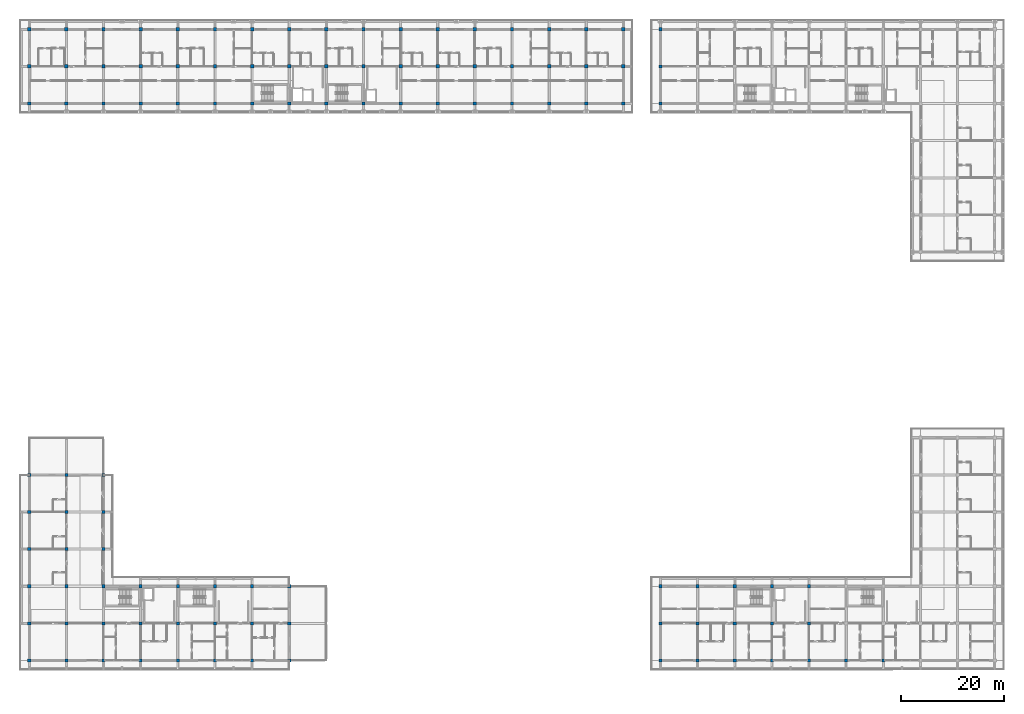
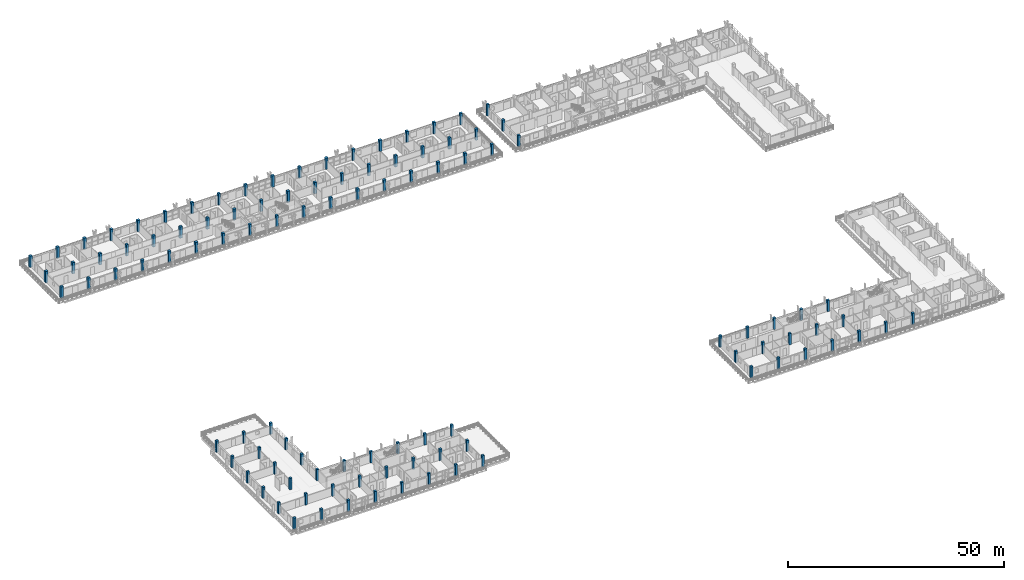
# One storey, part 1 of 78: 104 columns.
"""IFC4 building model written with IfcOpenShell, lengths in metres."""

from ifc_helpers import new_model, si_unit, direction, frame, origin, origin_2d, place, context, subcontext, project, spatial, rectangle, extrude, material, material_profile, profile_set, type_object, element, save


model = new_model("IFC4")

# Units and contexts
model_context = context("Model", 3, precision=1e-05, world=origin(), true_north=direction((0.0, 1.0)))
body_context = subcontext(model_context, "Body", "Model", "MODEL_VIEW")
ifc_project = project(units=[si_unit("LENGTHUNIT", "METRE"), si_unit("AREAUNIT", "SQUARE_METRE"), si_unit("VOLUMEUNIT", "CUBIC_METRE"), si_unit("PLANEANGLEUNIT", "RADIAN"), si_unit("MASSUNIT", "GRAM", prefix="KILO")], contexts=[model_context])

# Site, building, storey
site_placement = place(None, origin())
site = spatial("IfcSite", under=ifc_project, at=site_placement, CompositionType="ELEMENT")
building_placement = place(site_placement, origin())
building = spatial("IfcBuilding", under=site, at=building_placement, Name="Suanplinth Sawtooth Commons", CompositionType="ELEMENT")
storey_placement = place(building_placement, frame((0.0, 0.0, 15.39990234375)))
storey = spatial("IfcBuildingStorey", under=building, at=storey_placement, Name="L04", CompositionType="ELEMENT", Elevation=15.39990234375)

# Columns
ifc_material = material(Name="Precast concrete C40/50", Category="concrete")
ifc_material_profile_1 = material_profile(ifc_material, rectangle(XDim=0.64990234375, YDim=0.64990234375, at=origin_2d()), Name="PC-COL 650x650")
ifc_profile_set_1 = profile_set([ifc_material_profile_1], Name="Precast concrete C40/50")
column_type_1 = type_object("IfcColumnType", Name="C-03", PredefinedType="COLUMN", material=ifc_profile_set_1)
for number, where, z_axis, x_axis, name in (
    (1, (0.0, 108.0, 0.0), (0.0, 0.0, 1.0), (1.0, 0.0, 0.0), "Column L04 1/R"),
    (2, (0.0, 115.199951171875, 0.0), (0.0, 0.0, 1.0), (1.0, 0.0, 0.0), "Column L04 1/S"),
    (3, (0.0, 122.39990234375, 0.0), (0.0, 0.0, 1.0), (1.0, 0.0, 0.0), "Column L04 1/T"),
    (4, (7.199951171875, 108.0, 0.0), (0.0, 0.0, 1.0), (1.0, 0.0, 0.0), "Column L04 2/R"),
    (5, (7.199951171875, 115.199951171875, 0.0), (0.0, 0.0, 1.0), (1.0, 0.0, 0.0), "Column L04 2/S"),
    (6, (7.199951171875, 122.39990234375, 0.0), (0.0, 0.0, 1.0), (1.0, 0.0, 0.0), "Column L04 2/T"),
    (7, (14.39990234375, 108.0, 0.0), (0.0, 0.0, 1.0), (1.0, 0.0, 0.0), "Column L04 3/R"),
    (8, (14.39990234375, 115.199951171875, 0.0), (0.0, 0.0, 1.0), (1.0, 0.0, 0.0), "Column L04 3/S"),
    (9, (14.39990234375, 122.39990234375, 0.0), (0.0, 0.0, 1.0), (1.0, 0.0, 0.0), "Column L04 3/T"),
    (10, (21.60009765625, 108.0, 0.0), (0.0, 0.0, 1.0), (1.0, 0.0, 0.0), "Column L04 4/R"),
    (11, (21.60009765625, 115.199951171875, 0.0), (0.0, 0.0, 1.0), (1.0, 0.0, 0.0), "Column L04 4/S"),
    (12, (21.60009765625, 122.39990234375, 0.0), (0.0, 0.0, 1.0), (1.0, 0.0, 0.0), "Column L04 4/T"),
    (13, (28.800048828125, 108.0, 0.0), (0.0, 0.0, 1.0), (1.0, 0.0, 0.0), "Column L04 5/R"),
    (14, (28.800048828125, 115.199951171875, 0.0), (0.0, 0.0, 1.0), (1.0, 0.0, 0.0), "Column L04 5/S"),
    (15, (28.800048828125, 122.39990234375, 0.0), (0.0, 0.0, 1.0), (1.0, 0.0, 0.0), "Column L04 5/T"),
    (16, (36.0, 108.0, 0.0), (0.0, 0.0, 1.0), (1.0, 0.0, 0.0), "Column L04 6/R"),
    (17, (36.0, 115.199951171875, 0.0), (0.0, 0.0, 1.0), (1.0, 0.0, 0.0), "Column L04 6/S"),
    (18, (36.0, 122.39990234375, 0.0), (0.0, 0.0, 1.0), (1.0, 0.0, 0.0), "Column L04 6/T"),
    (19, (43.199951171875, 108.0, 0.0), (0.0, 0.0, 1.0), (1.0, 0.0, 0.0), "Column L04 7/R"),
    (20, (43.199951171875, 115.199951171875, 0.0), (0.0, 0.0, 1.0), (1.0, 0.0, 0.0), "Column L04 7/S"),
    (21, (43.199951171875, 122.39990234375, 0.0), (0.0, 0.0, 1.0), (1.0, 0.0, 0.0), "Column L04 7/T"),
    (22, (50.39990234375, 108.0, 0.0), (0.0, 0.0, 1.0), (1.0, 0.0, 0.0), "Column L04 8/R"),
    (23, (50.39990234375, 115.199951171875, 0.0), (0.0, 0.0, 1.0), (1.0, 0.0, 0.0), "Column L04 8/S"),
    (24, (50.39990234375, 122.39990234375, 0.0), (0.0, 0.0, 1.0), (1.0, 0.0, 0.0), "Column L04 8/T"),
    (25, (57.60009765625, 108.0, 0.0), (0.0, 0.0, 1.0), (1.0, 0.0, 0.0), "Column L04 9/R"),
    (26, (57.60009765625, 115.199951171875, 0.0), (0.0, 0.0, 1.0), (1.0, 0.0, 0.0), "Column L04 9/S"),
    (27, (57.60009765625, 122.39990234375, 0.0), (0.0, 0.0, 1.0), (1.0, 0.0, 0.0), "Column L04 9/T"),
    (28, (64.800048828125, 108.0, 0.0), (0.0, 0.0, 1.0), (1.0, 0.0, 0.0), "Column L04 10/R"),
    (29, (64.800048828125, 115.199951171875, 0.0), (0.0, 0.0, 1.0), (1.0, 0.0, 0.0), "Column L04 10/S"),
    (30, (64.800048828125, 122.39990234375, 0.0), (0.0, 0.0, 1.0), (1.0, 0.0, 0.0), "Column L04 10/T"),
    (31, (72.0, 108.0, 0.0), (0.0, 0.0, 1.0), (1.0, 0.0, 0.0), "Column L04 11/R"),
    (32, (72.0, 115.199951171875, 0.0), (0.0, 0.0, 1.0), (1.0, 0.0, 0.0), "Column L04 11/S"),
    (33, (72.0, 122.39990234375, 0.0), (0.0, 0.0, 1.0), (1.0, 0.0, 0.0), "Column L04 11/T"),
    (34, (79.199951171875, 108.0, 0.0), (0.0, 0.0, 1.0), (1.0, 0.0, 0.0), "Column L04 12/R"),
    (35, (79.199951171875, 115.199951171875, 0.0), (0.0, 0.0, 1.0), (1.0, 0.0, 0.0), "Column L04 12/S"),
    (36, (79.199951171875, 122.39990234375, 0.0), (0.0, 0.0, 1.0), (1.0, 0.0, 0.0), "Column L04 12/T"),
    (37, (86.39990234375, 108.0, 0.0), (0.0, 0.0, 1.0), (1.0, 0.0, 0.0), "Column L04 13/R"),
    (38, (86.39990234375, 115.199951171875, 0.0), (0.0, 0.0, 1.0), (1.0, 0.0, 0.0), "Column L04 13/S"),
    (39, (86.39990234375, 122.39990234375, 0.0), (0.0, 0.0, 1.0), (1.0, 0.0, 0.0), "Column L04 13/T"),
    (40, (93.60009765625, 108.0, 0.0), (0.0, 0.0, 1.0), (1.0, 0.0, 0.0), "Column L04 14/R"),
    (41, (93.60009765625, 115.199951171875, 0.0), (0.0, 0.0, 1.0), (1.0, 0.0, 0.0), "Column L04 14/S"),
    (42, (93.60009765625, 122.39990234375, 0.0), (0.0, 0.0, 1.0), (1.0, 0.0, 0.0), "Column L04 14/T"),
    (43, (100.800048828125, 108.0, 0.0), (0.0, 0.0, 1.0), (1.0, 0.0, 0.0), "Column L04 15/R"),
    (44, (100.800048828125, 115.199951171875, 0.0), (0.0, 0.0, 1.0), (1.0, 0.0, 0.0), "Column L04 15/S"),
    (45, (100.800048828125, 122.39990234375, 0.0), (0.0, 0.0, 1.0), (1.0, 0.0, 0.0), "Column L04 15/T"),
    (46, (108.0, 108.0, 0.0), (0.0, 0.0, 1.0), (1.0, 0.0, 0.0), "Column L04 16/R"),
    (47, (108.0, 115.199951171875, 0.0), (0.0, 0.0, 1.0), (1.0, 0.0, 0.0), "Column L04 16/S"),
    (48, (108.0, 122.39990234375, 0.0), (0.0, 0.0, 1.0), (1.0, 0.0, 0.0), "Column L04 16/T"),
    (49, (115.199951171875, 108.0, 0.0), (0.0, 0.0, 1.0), (1.0, 0.0, 0.0), "Column L04 17/R"),
    (50, (115.199951171875, 115.199951171875, 0.0), (0.0, 0.0, 1.0), (1.0, 0.0, 0.0), "Column L04 17/S"),
    (51, (115.199951171875, 122.39990234375, 0.0), (0.0, 0.0, 1.0), (1.0, 0.0, 0.0), "Column L04 17/T"),
):
    element("IfcColumn", number, at=place(storey_placement, frame(where, z_axis=z_axis, x_axis=x_axis)), inside=storey, type_object=column_type_1, Name=name, PredefinedType="COLUMN", context=body_context, shape_type="SweptSolid", body=[
        extrude(rectangle(XDim=0.64990234375, YDim=0.64990234375, at=origin_2d()), origin(), (0.0, 0.0, 1.0), 3.2001953125),
    ])
ifc_material_profile_2 = material_profile(ifc_material, rectangle(XDim=0.60009765625, YDim=0.60009765625, at=origin_2d()), Name="PC-COL 600x600")
ifc_profile_set_2 = profile_set([ifc_material_profile_2], Name="Precast concrete C40/50")
column_type_2 = type_object("IfcColumnType", Name="C-04", PredefinedType="COLUMN", material=ifc_profile_set_2)
for number, where, z_axis, x_axis, name in (
    (52, (0.0, 0.0, 0.0), (0.0, 0.0, 1.0), (1.0, 0.0, 0.0), "Column L04 1/A"),
    (53, (0.0, 7.199951171875, 0.0), (0.0, 0.0, 1.0), (1.0, 0.0, 0.0), "Column L04 1/B"),
    (54, (0.0, 14.39990234375, 0.0), (0.0, 0.0, 1.0), (1.0, 0.0, 0.0), "Column L04 1/C"),
    (55, (0.0, 21.60009765625, 0.0), (0.0, 0.0, 1.0), (1.0, 0.0, 0.0), "Column L04 1/D"),
    (56, (0.0, 28.800048828125, 0.0), (0.0, 0.0, 1.0), (1.0, 0.0, 0.0), "Column L04 1/E"),
    (57, (0.0, 36.0, 0.0), (0.0, 0.0, 1.0), (1.0, 0.0, 0.0), "Column L04 1/F"),
    (58, (7.199951171875, 0.0, 0.0), (0.0, 0.0, 1.0), (1.0, 0.0, 0.0), "Column L04 2/A"),
    (59, (7.199951171875, 7.199951171875, 0.0), (0.0, 0.0, 1.0), (1.0, 0.0, 0.0), "Column L04 2/B"),
    (60, (7.199951171875, 14.39990234375, 0.0), (0.0, 0.0, 1.0), (1.0, 0.0, 0.0), "Column L04 2/C"),
    (61, (7.199951171875, 21.60009765625, 0.0), (0.0, 0.0, 1.0), (1.0, 0.0, 0.0), "Column L04 2/D"),
    (62, (7.199951171875, 28.800048828125, 0.0), (0.0, 0.0, 1.0), (1.0, 0.0, 0.0), "Column L04 2/E"),
    (63, (7.199951171875, 36.0, 0.0), (0.0, 0.0, 1.0), (1.0, 0.0, 0.0), "Column L04 2/F"),
    (64, (14.39990234375, 0.0, 0.0), (0.0, 0.0, 1.0), (1.0, 0.0, 0.0), "Column L04 3/A"),
    (65, (14.39990234375, 7.199951171875, 0.0), (0.0, 0.0, 1.0), (1.0, 0.0, 0.0), "Column L04 3/B"),
    (66, (14.39990234375, 14.39990234375, 0.0), (0.0, 0.0, 1.0), (1.0, 0.0, 0.0), "Column L04 3/C"),
    (67, (14.39990234375, 21.60009765625, 0.0), (0.0, 0.0, 1.0), (1.0, 0.0, 0.0), "Column L04 3/D"),
    (68, (14.39990234375, 28.800048828125, 0.0), (0.0, 0.0, 1.0), (1.0, 0.0, 0.0), "Column L04 3/E"),
    (69, (14.39990234375, 36.0, 0.0), (0.0, 0.0, 1.0), (1.0, 0.0, 0.0), "Column L04 3/F"),
    (70, (21.60009765625, 0.0, 0.0), (0.0, 0.0, 1.0), (1.0, 0.0, 0.0), "Column L04 4/A"),
    (71, (21.60009765625, 7.199951171875, 0.0), (0.0, 0.0, 1.0), (1.0, 0.0, 0.0), "Column L04 4/B"),
    (72, (21.60009765625, 14.39990234375, 0.0), (0.0, 0.0, 1.0), (1.0, 0.0, 0.0), "Column L04 4/C"),
    (73, (28.800048828125, 0.0, 0.0), (0.0, 0.0, 1.0), (1.0, 0.0, 0.0), "Column L04 5/A"),
    (74, (28.800048828125, 7.199951171875, 0.0), (0.0, 0.0, 1.0), (1.0, 0.0, 0.0), "Column L04 5/B"),
    (75, (28.800048828125, 14.39990234375, 0.0), (0.0, 0.0, 1.0), (1.0, 0.0, 0.0), "Column L04 5/C"),
    (76, (36.0, 0.0, 0.0), (0.0, 0.0, 1.0), (1.0, 0.0, 0.0), "Column L04 6/A"),
    (77, (36.0, 7.199951171875, 0.0), (0.0, 0.0, 1.0), (1.0, 0.0, 0.0), "Column L04 6/B"),
    (78, (36.0, 14.39990234375, 0.0), (0.0, 0.0, 1.0), (1.0, 0.0, 0.0), "Column L04 6/C"),
    (79, (43.199951171875, 0.0, 0.0), (0.0, 0.0, 1.0), (1.0, 0.0, 0.0), "Column L04 7/A"),
    (80, (43.199951171875, 7.199951171875, 0.0), (0.0, 0.0, 1.0), (1.0, 0.0, 0.0), "Column L04 7/B"),
    (81, (43.199951171875, 14.39990234375, 0.0), (0.0, 0.0, 1.0), (1.0, 0.0, 0.0), "Column L04 7/C"),
    (82, (50.39990234375, 0.0, 0.0), (0.0, 0.0, 1.0), (1.0, 0.0, 0.0), "Column L04 8/A"),
    (83, (50.39990234375, 7.199951171875, 0.0), (0.0, 0.0, 1.0), (1.0, 0.0, 0.0), "Column L04 8/B"),
    (84, (50.39990234375, 14.39990234375, 0.0), (0.0, 0.0, 1.0), (1.0, 0.0, 0.0), "Column L04 8/C"),
    (85, (122.39990234375, 0.0, 0.0), (0.0, 0.0, 1.0), (1.0, 0.0, 0.0), "Column L04 18/A"),
    (86, (122.39990234375, 7.199951171875, 0.0), (0.0, 0.0, 1.0), (1.0, 0.0, 0.0), "Column L04 18/B"),
    (87, (122.39990234375, 14.39990234375, 0.0), (0.0, 0.0, 1.0), (1.0, 0.0, 0.0), "Column L04 18/C"),
    (88, (122.39990234375, 108.0, 0.0), (0.0, 0.0, 1.0), (1.0, 0.0, 0.0), "Column L04 18/R"),
    (89, (122.39990234375, 115.199951171875, 0.0), (0.0, 0.0, 1.0), (1.0, 0.0, 0.0), "Column L04 18/S"),
    (90, (122.39990234375, 122.39990234375, 0.0), (0.0, 0.0, 1.0), (1.0, 0.0, 0.0), "Column L04 18/T"),
    (91, (129.60009765625, 0.0, 0.0), (0.0, 0.0, 1.0), (1.0, 0.0, 0.0), "Column L04 19/A"),
    (92, (129.60009765625, 7.199951171875, 0.0), (0.0, 0.0, 1.0), (1.0, 0.0, 0.0), "Column L04 19/B"),
    (93, (129.60009765625, 14.39990234375, 0.0), (0.0, 0.0, 1.0), (1.0, 0.0, 0.0), "Column L04 19/C"),
    (94, (136.800048828125, 0.0, 0.0), (0.0, 0.0, 1.0), (1.0, 0.0, 0.0), "Column L04 20/A"),
    (95, (136.800048828125, 7.199951171875, 0.0), (0.0, 0.0, 1.0), (1.0, 0.0, 0.0), "Column L04 20/B"),
    (96, (136.800048828125, 14.39990234375, 0.0), (0.0, 0.0, 1.0), (1.0, 0.0, 0.0), "Column L04 20/C"),
    (97, (144.0, 0.0, 0.0), (0.0, 0.0, 1.0), (1.0, 0.0, 0.0), "Column L04 21/A"),
    (98, (144.0, 7.199951171875, 0.0), (0.0, 0.0, 1.0), (1.0, 0.0, 0.0), "Column L04 21/B"),
    (99, (144.0, 14.39990234375, 0.0), (0.0, 0.0, 1.0), (1.0, 0.0, 0.0), "Column L04 21/C"),
    (100, (151.199951171875, 0.0, 0.0), (0.0, 0.0, 1.0), (1.0, 0.0, 0.0), "Column L04 22/A"),
    (101, (151.199951171875, 7.199951171875, 0.0), (0.0, 0.0, 1.0), (1.0, 0.0, 0.0), "Column L04 22/B"),
    (102, (151.199951171875, 14.39990234375, 0.0), (0.0, 0.0, 1.0), (1.0, 0.0, 0.0), "Column L04 22/C"),
    (103, (158.39990234375, 0.0, 0.0), (0.0, 0.0, 1.0), (1.0, 0.0, 0.0), "Column L04 23/A"),
    (104, (165.60009765625, 0.0, 0.0), (0.0, 0.0, 1.0), (1.0, 0.0, 0.0), "Column L04 24/A"),
):
    element("IfcColumn", number, at=place(storey_placement, frame(where, z_axis=z_axis, x_axis=x_axis)), inside=storey, type_object=column_type_2, Name=name, PredefinedType="COLUMN", context=body_context, shape_type="SweptSolid", body=[
        extrude(rectangle(XDim=0.60009765625, YDim=0.60009765625, at=origin_2d()), origin(), (0.0, 0.0, 1.0), 3.2001953125),
    ])

save(model, "model.ifc")
